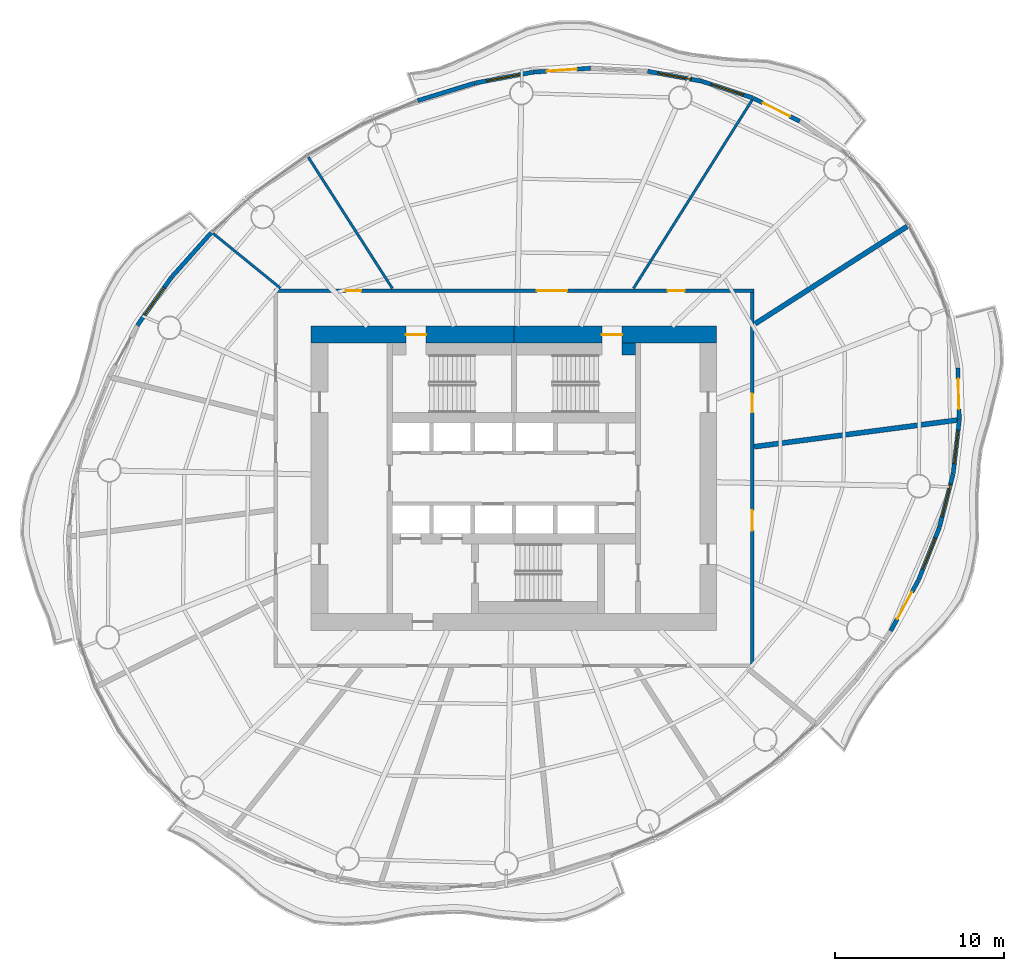
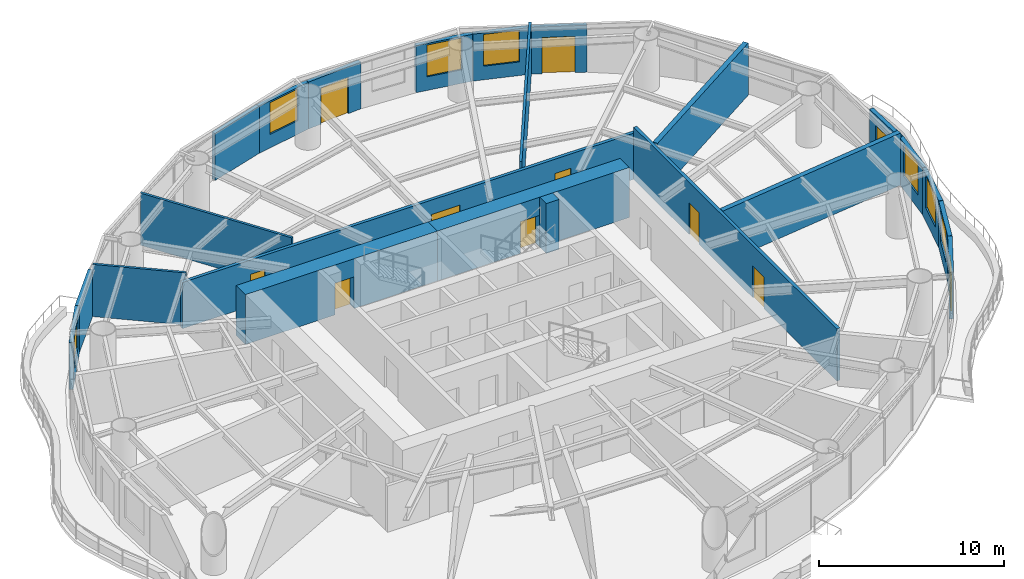
# One storey, part 10 of 14: 23 walls, 11 doors, 7 windows, 18 openings.
"""IFC4 building model written with IfcOpenShell, lengths in metres."""

from ifc_helpers import new_model, si_unit, direction, frame, frame_2d, origin, place, context, subcontext, project, spatial, rectangle, extrude, material, layer, layer_set, type_object, element, fill, save


model = new_model("IFC4")

# Units and contexts
model_context = context("Model", 3, precision=1e-05, world=origin(), true_north=direction((0.0, 1.0)))
body_context = subcontext(model_context, "Body", "Model", "MODEL_VIEW")
ifc_project = project(units=[si_unit("LENGTHUNIT", "METRE"), si_unit("AREAUNIT", "SQUARE_METRE"), si_unit("VOLUMEUNIT", "CUBIC_METRE"), si_unit("PLANEANGLEUNIT", "RADIAN"), si_unit("MASSUNIT", "GRAM", prefix="KILO")], contexts=[model_context])

# Site, building, storey
site_placement = place(None, origin())
site = spatial("IfcSite", under=ifc_project, at=site_placement, CompositionType="ELEMENT")
building_placement = place(site_placement, origin())
building = spatial("IfcBuilding", under=site, at=building_placement, Name="Vermilion Reach Broadcast Tower", CompositionType="ELEMENT")
storey_placement = place(building_placement, frame((0.0, 0.0, 165.0)))
storey = spatial("IfcBuildingStorey", under=building, at=storey_placement, Name="L39", CompositionType="ELEMENT", Elevation=165.0)

# Wall, opening, door
ifc_material_1 = material(Name="Concrete C70", Category="concrete")
ifc_layer_1 = layer(ifc_material_1, 1.0)
ifc_layer_set_1 = layer_set([ifc_layer_1], Name="Core outer wall 1000 mm Concrete C70")
wall_type_1 = type_object("IfcWallType", Name="Core outer wall 1000 mm Concrete C70", PredefinedType="SHEAR", material=ifc_layer_set_1)
wall_1_placement = place(storey_placement, frame((6.0, 8.5, 0.0), z_axis=(0.0, 0.0, 1.0), x_axis=(-1.0, 0.0, 0.0)))
wall_1 = element("IfcWall", 1, at=wall_1_placement, inside=storey, type_object=wall_type_1, Name="L39 core wall onE", PredefinedType="SHEAR", context=body_context, shape_type="SweptSolid", body=[
    extrude(rectangle(XDim=12.0, YDim=1.0, at=frame_2d((6.0, 0.0))), origin(), (0.0, 0.0, 1.0), 3.300048828125),
])
opening_1_placement = place(wall_1_placement, frame((5.60009765625, 0.0, 0.0)))
opening_1 = element("IfcOpeningElement", 2, at=opening_1_placement, cuts=wall_1, Name="Opening D01", PredefinedType="OPENING", context=body_context, shape_type="SweptSolid", body=[
    extrude(rectangle(XDim=1.199951171875, YDim=2.10009765625, at=frame_2d((0.60009765625, 1.050048828125))), frame((0.0, 0.510009765625, 0.0), z_axis=(0.0, -1.0, 0.0), x_axis=(1.0, 0.0, 0.0)), (0.0, 0.0, 1.0), 1.02001953125),
])
ifc_material_2 = material(Name="Painted steel fire door", Category="steel")
door_type_1 = type_object("IfcDoorType", Name="Stair door 1200 x 2100", OperationType="DOUBLE_DOOR_SINGLE_SWING", PredefinedType="NOTDEFINED", material=ifc_material_2)
door_1_placement = place(opening_1_placement, origin())
door_1 = element("IfcDoor", 3, at=door_1_placement, inside=storey, type_object=door_type_1, Name="L39 stair door ST2", OperationType="DOUBLE_DOOR_SINGLE_SWING", OverallHeight=2.10009765625, OverallWidth=1.199951171875, PredefinedType="NOTDEFINED", context=body_context, shape_type="SweptSolid", body=[
    extrude(rectangle(XDim=1.199951171875, YDim=2.10009765625, at=frame_2d((0.60009765625, 1.050048828125))), frame((0.0, 0.02490234375, 0.0), z_axis=(0.0, -1.0, 0.0), x_axis=(1.0, 0.0, 0.0)), (0.0, 0.0, 1.0), 0.050048828125),
])
fill(opening_1, door_1)

wall_2_placement = place(storey_placement, frame((-6.0, 8.5, 0.0), z_axis=(0.0, 0.0, 1.0), x_axis=(-1.0, 0.0, 0.0)))
wall_2 = element("IfcWall", 4, at=wall_2_placement, inside=storey, type_object=wall_type_1, Name="L39 core wall onW", PredefinedType="SHEAR", context=body_context, shape_type="SweptSolid", body=[
    extrude(rectangle(XDim=12.0, YDim=1.0, at=frame_2d((6.0, 0.0))), origin(), (0.0, 0.0, 1.0), 3.300048828125),
])
opening_2_placement = place(wall_2_placement, frame((5.199951171875, 0.0, 0.0)))
opening_2 = element("IfcOpeningElement", 5, at=opening_2_placement, cuts=wall_2, Name="Opening D01", PredefinedType="OPENING", context=body_context, shape_type="SweptSolid", body=[
    extrude(rectangle(XDim=1.199951171875, YDim=2.10009765625, at=frame_2d((0.60009765625, 1.050048828125))), frame((0.0, 0.510009765625, 0.0), z_axis=(0.0, -1.0, 0.0), x_axis=(1.0, 0.0, 0.0)), (0.0, 0.0, 1.0), 1.02001953125),
])
door_2_placement = place(opening_2_placement, origin())
door_2 = element("IfcDoor", 6, at=door_2_placement, inside=storey, type_object=door_type_1, Name="L39 stair door ST1", OperationType="DOUBLE_DOOR_SINGLE_SWING", OverallHeight=2.10009765625, OverallWidth=1.199951171875, PredefinedType="NOTDEFINED", context=body_context, shape_type="SweptSolid", body=[
    extrude(rectangle(XDim=1.199951171875, YDim=2.10009765625, at=frame_2d((0.60009765625, 1.050048828125))), frame((0.0, 0.02490234375, 0.0), z_axis=(0.0, -1.0, 0.0), x_axis=(1.0, 0.0, 0.0)), (0.0, 0.0, 1.0), 0.050048828125),
])
fill(opening_2, door_2)

# Wall
ifc_material_3 = material(Name="Concrete C70", Category="concrete")
ifc_layer_2 = layer(ifc_material_3, 0.699951171875)
ifc_layer_set_2 = layer_set([ifc_layer_2], Name="Core stair wall 700 mm Concrete C70")
wall_type_2 = type_object("IfcWallType", Name="Core stair wall 700 mm Concrete C70", PredefinedType="SHEAR", material=ifc_layer_set_2)
wall_3_placement = place(storey_placement, frame((0.39990234375, 7.64990234375, 0.0), z_axis=(0.0, 0.0, 1.0), x_axis=(1.0, 0.0, 0.0)))
element("IfcWall", 7, at=wall_3_placement, inside=storey, type_object=wall_type_2, Name="L39 core wall l2b", PredefinedType="SHEAR", context=body_context, shape_type="SweptSolid", body=[
    extrude(rectangle(XDim=0.800048828125, YDim=0.699951171875, at=frame_2d((0.39990234375, 0.0))), origin(), (0.0, 0.0, 1.0), 3.300048828125),
])

# Wall, openings, doors
ifc_material_4 = material(Name="Fire-rated gypsum board partition")
ifc_layer_3 = layer(ifc_material_4, 0.199951171875)
ifc_layer_set_3 = layer_set([ifc_layer_3], Name="Corridor wall 200 fire-rated")
wall_type_3 = type_object("IfcWallType", Name="Corridor wall 200 fire-rated", PredefinedType="PARTITIONING", material=ifc_layer_set_3)
wall_4_placement = place(storey_placement, frame((8.10009765625, 11.0, 0.0), z_axis=(0.0, 0.0, 1.0), x_axis=(0.0, -1.0, 0.0)))
wall_4 = element("IfcWall", 8, at=wall_4_placement, inside=storey, type_object=wall_type_3, Name="Corridor wall 39.E", PredefinedType="PARTITIONING", context=body_context, shape_type="SweptSolid", body=[
    extrude(rectangle(XDim=22.0, YDim=0.199951171875, at=frame_2d((11.0, 0.0))), origin(), (0.0, 0.0, 1.0), 3.449951171875),
])
opening_3_placement = place(wall_4_placement, frame((12.895263671875, 0.0, 0.0)))
opening_3 = element("IfcOpeningElement", 9, at=opening_3_placement, cuts=wall_4, Name="Opening D26", PredefinedType="OPENING", context=body_context, shape_type="SweptSolid", body=[
    extrude(rectangle(XDim=1.199951171875, YDim=2.10009765625, at=frame_2d((0.60009765625, 1.050048828125))), frame((0.0, 0.10986328125, 0.0), z_axis=(0.0, -1.0, 0.0), x_axis=(1.0, 0.0, 0.0)), (0.0, 0.0, 1.0), 0.219970703125),
])
opening_4_placement = place(wall_4_placement, frame((5.99658203125, 0.0, 0.0)))
opening_4 = element("IfcOpeningElement", 10, at=opening_4_placement, cuts=wall_4, Name="Opening D28", PredefinedType="OPENING", context=body_context, shape_type="SweptSolid", body=[
    extrude(rectangle(XDim=1.10009765625, YDim=2.10009765625, at=frame_2d((0.550048828125, 1.050048828125))), frame((0.0, 0.10986328125, 0.0), z_axis=(0.0, -1.0, 0.0), x_axis=(1.0, 0.0, 0.0)), (0.0, 0.0, 1.0), 0.219970703125),
])
ifc_material_5 = material(Name="Acoustic sound-lock door leaf")
door_type_2 = type_object("IfcDoorType", Name="Door single 1100x2100", OperationType="NOTDEFINED", PredefinedType="DOOR", material=ifc_material_5)
door_3_placement = place(opening_4_placement, origin())
door_3 = element("IfcDoor", 11, at=door_3_placement, inside=storey, type_object=door_type_2, Name="Door 39.13", OperationType="SINGLE_SWING_RIGHT", OverallHeight=2.10009765625, OverallWidth=1.10009765625, PredefinedType="DOOR", context=body_context, shape_type="SweptSolid", body=[
    extrude(rectangle(XDim=1.10009765625, YDim=2.10009765625, at=frame_2d((0.550048828125, 1.050048828125))), frame((0.0, 0.02490234375, 0.0), z_axis=(0.0, -1.0, 0.0), x_axis=(1.0, 0.0, 0.0)), (0.0, 0.0, 1.0), 0.050048828125),
])
fill(opening_4, door_3)
ifc_material_6 = material(Name="Acoustic timber door leaf", Category="wood")
door_type_3 = type_object("IfcDoorType", Name="Door single 1200x2100", OperationType="NOTDEFINED", PredefinedType="DOOR", material=ifc_material_6)
door_4_placement = place(opening_3_placement, origin())
door_4 = element("IfcDoor", 12, at=door_4_placement, inside=storey, type_object=door_type_3, Name="Door 39.12", OperationType="SINGLE_SWING_LEFT", OverallHeight=2.10009765625, OverallWidth=1.199951171875, PredefinedType="DOOR", context=body_context, shape_type="SweptSolid", body=[
    extrude(rectangle(XDim=1.199951171875, YDim=2.10009765625, at=frame_2d((0.60009765625, 1.050048828125))), frame((0.0, 0.02490234375, 0.0), z_axis=(0.0, -1.0, 0.0), x_axis=(1.0, 0.0, 0.0)), (0.0, 0.0, 1.0), 0.050048828125),
])
fill(opening_3, door_4)

# Walls
ifc_material_7 = material(Name="Lightweight concrete block, plastered", Category="concrete")
ifc_layer_4 = layer(ifc_material_7, 0.14990234375)
ifc_layer_set_4 = layer_set([ifc_layer_4], Name="Partition 150 lightweight block")
wall_type_4 = type_object("IfcWallType", Name="Partition 150 lightweight block", PredefinedType="PARTITIONING", material=ifc_layer_set_4)
wall_5_placement = place(storey_placement, frame((8.101318359375, 22.393798828125, 0.0), z_axis=(0.0, 0.0, 1.0), x_axis=(-0.532862885492, -0.846201598477, 0.0)))
element("IfcWall", 13, at=wall_5_placement, inside=storey, type_object=wall_type_4, Name="Partition 39.02", PredefinedType="PARTITIONING", context=body_context, shape_type="SweptSolid", body=[
    extrude(rectangle(XDim=13.180908203125, YDim=0.14990234375, at=frame_2d((6.59033203125, 0.0))), origin(), (0.0, 0.0, 1.0), 3.449951171875),
])
wall_6_placement = place(storey_placement, frame((-18.17236328125, 19.00390625, 0.0), z_axis=(0.0, 0.0, 1.0), x_axis=(0.539366262067, -0.842071276879, 0.0)))
element("IfcWall", 14, at=wall_6_placement, inside=storey, type_object=wall_type_4, Name="Partition 39.03", PredefinedType="PARTITIONING", context=body_context, shape_type="SweptSolid", body=[
    extrude(rectangle(XDim=9.219482421875, YDim=0.14990234375, at=frame_2d((4.60986328125, 0.0))), origin(), (0.0, 0.0, 1.0), 3.449951171875),
])
wall_7_placement = place(storey_placement, frame((-23.793701171875, 14.48486328125, 0.0), z_axis=(0.0, 0.0, 1.0), x_axis=(0.775504350121, -0.631342223317, 0.0)))
element("IfcWall", 15, at=wall_7_placement, inside=storey, type_object=wall_type_4, Name="Partition 39.04", PredefinedType="PARTITIONING", context=body_context, shape_type="SweptSolid", body=[
    extrude(rectangle(XDim=5.111083984375, YDim=0.14990234375, at=frame_2d((2.5556640625, 0.0))), origin(), (0.0, 0.0, 1.0), 3.449951171875),
])
ifc_material_8 = material(Name="Double-leaf plasterboard on isolated steel stud", Category="steel")
ifc_layer_5 = layer(ifc_material_8, 0.300048828125)
ifc_layer_set_5 = layer_set([ifc_layer_5], Name="Partition 300 acoustic double leaf")
wall_type_5 = type_object("IfcWallType", Name="Partition 300 acoustic double leaf", PredefinedType="PARTITIONING", material=ifc_layer_set_5)
wall_8_placement = place(storey_placement, frame((17.270263671875, 14.90478515625, 0.0), z_axis=(0.0, 0.0, 1.0), x_axis=(-0.842071977219, -0.539365168678, 0.0)))
element("IfcWall", 16, at=wall_8_placement, inside=storey, type_object=wall_type_5, Name="Partition 39.01", PredefinedType="PARTITIONING", context=body_context, shape_type="SweptSolid", body=[
    extrude(rectangle(XDim=10.675048828125, YDim=0.300048828125, at=frame_2d((5.33740234375, 0.0))), origin(), (0.0, 0.0, 1.0), 3.449951171875),
])
wall_9_placement = place(storey_placement, frame((20.23876953125, 3.4443359375, 0.0), z_axis=(0.0, 0.0, 1.0), x_axis=(-0.991492708273, -0.130162242765, 0.0)))
element("IfcWall", 17, at=wall_9_placement, inside=storey, type_object=wall_type_5, Name="Partition 39.13", PredefinedType="PARTITIONING", context=body_context, shape_type="SweptSolid", body=[
    extrude(rectangle(XDim=12.122314453125, YDim=0.300048828125, at=frame_2d((6.06103515625, 0.0))), origin(), (0.0, 0.0, 1.0), 3.449951171875),
])

# Wall, opening, door
ifc_material_9 = material(Name="Terracotta rainscreen cladding", Category="masonry")
ifc_layer_6 = layer(ifc_material_9, 0.25)
ifc_layer_set_6 = layer_set([ifc_layer_6], Name="Terracotta rainscreen wall 250")
wall_type_6 = type_object("IfcWallType", Name="Terracotta rainscreen wall 250", PredefinedType="SOLIDWALL", material=ifc_layer_set_6)
wall_10_placement = place(storey_placement, frame((10.919189453125, 21.13916015625, 0.0), z_axis=(0.0, 0.0, 1.0), x_axis=(-0.896353964816, 0.443339113725, 0.0)))
wall_10 = element("IfcWall", 18, at=wall_10_placement, inside=storey, type_object=wall_type_6, Name="External wall L39 03", PredefinedType="SOLIDWALL", context=body_context, shape_type="SweptSolid", body=[
    extrude(rectangle(XDim=3.078369140625, YDim=0.25, at=frame_2d((1.5390625, 0.0))), origin(), (0.0, 0.0, 1.0), 3.10009765625),
])
opening_5_placement = place(wall_10_placement, frame((0.638916015625, 0.0, 0.0)))
opening_5 = element("IfcOpeningElement", 19, at=opening_5_placement, cuts=wall_10, Name="Opening D70", PredefinedType="OPENING", context=body_context, shape_type="SweptSolid", body=[
    extrude(rectangle(XDim=1.800048828125, YDim=2.39990234375, at=frame_2d((0.89990234375, 1.199951171875))), frame((0.0, 0.135009765625, 0.0), z_axis=(0.0, -1.0, 0.0), x_axis=(1.0, 0.0, 0.0)), (0.0, 0.0, 1.0), 0.27001953125),
])
ifc_material_10 = material(Name="Low-e laminated clear glass in aluminium frame", Category="aluminium")
door_type_4 = type_object("IfcDoorType", Name="Balcony sliding door 1800 x 2400", OperationType="DOUBLE_DOOR_SLIDING", PredefinedType="DOOR", material=ifc_material_10)
door_5_placement = place(opening_5_placement, origin())
door_5 = element("IfcDoor", 20, at=door_5_placement, inside=storey, type_object=door_type_4, Name="Balcony door L39 run 01", OperationType="DOUBLE_DOOR_SLIDING", OverallHeight=2.39990234375, OverallWidth=1.800048828125, PredefinedType="DOOR", context=body_context, shape_type="SweptSolid", body=[
    extrude(rectangle(XDim=1.800048828125, YDim=2.39990234375, at=frame_2d((0.89990234375, 1.199951171875))), frame((0.0, 0.02490234375, 0.0), z_axis=(0.0, -1.0, 0.0), x_axis=(1.0, 0.0, 0.0)), (0.0, 0.0, 1.0), 0.050048828125),
])
fill(opening_5, door_5)

# Wall, opening, window
wall_11_placement = place(storey_placement, frame((8.13623046875, 22.513671875, 0.0), z_axis=(0.0, 0.0, 1.0), x_axis=(-0.950163900918, 0.311750800147, 0.0)))
wall_11 = element("IfcWall", 21, at=wall_11_placement, inside=storey, type_object=wall_type_6, Name="External wall L39 04", PredefinedType="SOLIDWALL", context=body_context, shape_type="SweptSolid", body=[
    extrude(rectangle(XDim=3.159912109375, YDim=0.25, at=frame_2d((1.580078125, 0.0))), origin(), (0.0, 0.0, 1.0), 3.10009765625),
])
opening_6_placement = place(wall_11_placement, frame((0.579833984375, 0.0, 0.89990234375)))
opening_6 = element("IfcOpeningElement", 22, at=opening_6_placement, cuts=wall_11, Name="Opening W03", PredefinedType="OPENING", context=body_context, shape_type="SweptSolid", body=[
    extrude(rectangle(XDim=2.0, YDim=2.10009765625, at=frame_2d((1.0, 1.050048828125))), frame((0.0, 0.135009765625, 0.0), z_axis=(0.0, -1.0, 0.0), x_axis=(1.0, 0.0, 0.0)), (0.0, 0.0, 1.0), 0.27001953125),
])
ifc_material_11 = material(Name="Low-e laminated clear glass in aluminium frame", Category="aluminium")
window_type = type_object("IfcWindowType", Name="Punched window 2000 x 2100 sill 900", PartitioningType="SINGLE_PANEL", PredefinedType="WINDOW", material=ifc_material_11)
window_1_placement = place(opening_6_placement, origin())
window_1 = element("IfcWindow", 23, at=window_1_placement, inside=storey, type_object=window_type, Name="Window L39 04", OverallHeight=2.10009765625, OverallWidth=2.0, PartitioningType="SINGLE_PANEL", PredefinedType="WINDOW", context=body_context, shape_type="SweptSolid", body=[
    extrude(rectangle(XDim=2.0, YDim=2.10009765625, at=frame_2d((1.0, 1.050048828125))), frame((0.0, 0.030029296875, 0.0), z_axis=(0.0, -1.0, 0.0), x_axis=(1.0, 0.0, 0.0)), (0.0, 0.0, 1.0), 0.06005859375),
])
fill(opening_6, window_1)

wall_12_placement = place(storey_placement, frame((5.10986328125, 23.5048828125, 0.0), z_axis=(0.0, 0.0, 1.0), x_axis=(-0.983511988616, 0.180842938067, 0.0)))
wall_12 = element("IfcWall", 24, at=wall_12_placement, inside=storey, type_object=wall_type_6, Name="External wall L39 05", PredefinedType="SOLIDWALL", context=body_context, shape_type="SweptSolid", body=[
    extrude(rectangle(XDim=3.248046875, YDim=0.25, at=frame_2d((1.6240234375, 0.0))), origin(), (0.0, 0.0, 1.0), 3.10009765625),
])
opening_7_placement = place(wall_12_placement, frame((0.6240234375, 0.0, 0.89990234375)))
opening_7 = element("IfcOpeningElement", 25, at=opening_7_placement, cuts=wall_12, Name="Opening W03", PredefinedType="OPENING", context=body_context, shape_type="SweptSolid", body=[
    extrude(rectangle(XDim=2.0, YDim=2.10009765625, at=frame_2d((1.0, 1.050048828125))), frame((0.0, 0.135009765625, 0.0), z_axis=(0.0, -1.0, 0.0), x_axis=(1.0, 0.0, 0.0)), (0.0, 0.0, 1.0), 0.27001953125),
])
window_2_placement = place(opening_7_placement, origin())
window_2 = element("IfcWindow", 26, at=window_2_placement, inside=storey, type_object=window_type, Name="Window L39 05", OverallHeight=2.10009765625, OverallWidth=2.0, PartitioningType="SINGLE_PANEL", PredefinedType="WINDOW", context=body_context, shape_type="SweptSolid", body=[
    extrude(rectangle(XDim=2.0, YDim=2.10009765625, at=frame_2d((1.0, 1.050048828125))), frame((0.0, 0.030029296875, 0.0), z_axis=(0.0, -1.0, 0.0), x_axis=(1.0, 0.0, 0.0)), (0.0, 0.0, 1.0), 0.06005859375),
])
fill(opening_7, window_2)

# Wall, opening, door
wall_13_placement = place(storey_placement, frame((-1.464111328125, 24.27294921875, 0.0), z_axis=(0.0, 0.0, 1.0), x_axis=(-0.997639779644, -0.068664911499, 0.0)))
wall_13 = element("IfcWall", 27, at=wall_13_placement, inside=storey, type_object=wall_type_6, Name="External wall L39 07", PredefinedType="SOLIDWALL", context=body_context, shape_type="SweptSolid", body=[
    extrude(rectangle(XDim=3.42041015625, YDim=0.25, at=frame_2d((1.710205078125, 0.0))), origin(), (0.0, 0.0, 1.0), 3.10009765625),
])
opening_8_placement = place(wall_13_placement, frame((0.81005859375, 0.0, 0.0)))
opening_8 = element("IfcOpeningElement", 28, at=opening_8_placement, cuts=wall_13, Name="Opening D70", PredefinedType="OPENING", context=body_context, shape_type="SweptSolid", body=[
    extrude(rectangle(XDim=1.800048828125, YDim=2.39990234375, at=frame_2d((0.89990234375, 1.199951171875))), frame((0.0, 0.135009765625, 0.0), z_axis=(0.0, -1.0, 0.0), x_axis=(1.0, 0.0, 0.0)), (0.0, 0.0, 1.0), 0.27001953125),
])
door_6_placement = place(opening_8_placement, origin())
door_6 = element("IfcDoor", 29, at=door_6_placement, inside=storey, type_object=door_type_4, Name="Balcony door L39 run 02", OperationType="DOUBLE_DOOR_SLIDING", OverallHeight=2.39990234375, OverallWidth=1.800048828125, PredefinedType="DOOR", context=body_context, shape_type="SweptSolid", body=[
    extrude(rectangle(XDim=1.800048828125, YDim=2.39990234375, at=frame_2d((0.89990234375, 1.199951171875))), frame((0.0, 0.02490234375, 0.0), z_axis=(0.0, -1.0, 0.0), x_axis=(1.0, 0.0, 0.0)), (0.0, 0.0, 1.0), 0.050048828125),
])
fill(opening_8, door_6)

# Wall, opening, window
wall_14_placement = place(storey_placement, frame((-4.89892578125, 24.035400390625, 0.0), z_axis=(0.0, 0.0, 1.0), x_axis=(-0.982808840364, -0.184626063442, 0.0)))
wall_14 = element("IfcWall", 30, at=wall_14_placement, inside=storey, type_object=wall_type_6, Name="External wall L39 08", PredefinedType="SOLIDWALL", context=body_context, shape_type="SweptSolid", body=[
    extrude(rectangle(XDim=3.49365234375, YDim=0.25, at=frame_2d((1.746826171875, 0.0))), origin(), (0.0, 0.0, 1.0), 3.10009765625),
])
opening_9_placement = place(wall_14_placement, frame((0.746826171875, 0.0, 0.89990234375)))
opening_9 = element("IfcOpeningElement", 31, at=opening_9_placement, cuts=wall_14, Name="Opening W03", PredefinedType="OPENING", context=body_context, shape_type="SweptSolid", body=[
    extrude(rectangle(XDim=2.0, YDim=2.10009765625, at=frame_2d((1.0, 1.050048828125))), frame((0.0, 0.135009765625, 0.0), z_axis=(0.0, -1.0, 0.0), x_axis=(1.0, 0.0, 0.0)), (0.0, 0.0, 1.0), 0.27001953125),
])
window_3_placement = place(opening_9_placement, origin())
window_3 = element("IfcWindow", 32, at=window_3_placement, inside=storey, type_object=window_type, Name="Window L39 08", OverallHeight=2.10009765625, OverallWidth=2.0, PartitioningType="SINGLE_PANEL", PredefinedType="WINDOW", context=body_context, shape_type="SweptSolid", body=[
    extrude(rectangle(XDim=2.0, YDim=2.10009765625, at=frame_2d((1.0, 1.050048828125))), frame((0.0, 0.030029296875, 0.0), z_axis=(0.0, -1.0, 0.0), x_axis=(1.0, 0.0, 0.0)), (0.0, 0.0, 1.0), 0.06005859375),
])
fill(opening_9, window_3)

# Walls
wall_15_placement = place(storey_placement, frame((-8.35400390625, 23.38525390625, 0.0), z_axis=(0.0, 0.0, 1.0), x_axis=(-0.955795559149, -0.294032054565, 0.0)))
element("IfcWall", 33, at=wall_15_placement, inside=storey, type_object=wall_type_6, Name="External wall L39 09", PredefinedType="SOLIDWALL", context=body_context, shape_type="SweptSolid", body=[
    extrude(rectangle(XDim=3.508056640625, YDim=0.25, at=frame_2d((1.75390625, 0.0))), origin(), (0.0, 0.0, 1.0), 3.10009765625),
])
wall_16_placement = place(storey_placement, frame((-23.918701171875, 14.5322265625, 0.0), z_axis=(0.0, 0.0, 1.0), x_axis=(-0.666731798782, -0.745297731443, 0.0)))
element("IfcWall", 34, at=wall_16_placement, inside=storey, type_object=wall_type_6, Name="External wall L39 14", PredefinedType="SOLIDWALL", context=body_context, shape_type="SweptSolid", body=[
    extrude(rectangle(XDim=3.50830078125, YDim=0.25, at=frame_2d((1.754150390625, 0.0))), origin(), (0.0, 0.0, 1.0), 3.10009765625),
])

# Wall, opening, window
wall_17_placement = place(storey_placement, frame((-26.271484375, 11.900390625, 0.0), z_axis=(0.0, 0.0, 1.0), x_axis=(-0.578670547214, -0.815561400378, 0.0)))
wall_17 = element("IfcWall", 35, at=wall_17_placement, inside=storey, type_object=wall_type_6, Name="External wall L39 15", PredefinedType="SOLIDWALL", context=body_context, shape_type="SweptSolid", body=[
    extrude(rectangle(XDim=3.49365234375, YDim=0.25, at=frame_2d((1.746826171875, 0.0))), origin(), (0.0, 0.0, 1.0), 3.10009765625),
])
opening_10_placement = place(wall_17_placement, frame((0.746826171875, 0.0, 0.89990234375)))
opening_10 = element("IfcOpeningElement", 36, at=opening_10_placement, cuts=wall_17, Name="Opening W03", PredefinedType="OPENING", context=body_context, shape_type="SweptSolid", body=[
    extrude(rectangle(XDim=2.0, YDim=2.10009765625, at=frame_2d((1.0, 1.050048828125))), frame((0.0, 0.135009765625, 0.0), z_axis=(0.0, -1.0, 0.0), x_axis=(1.0, 0.0, 0.0)), (0.0, 0.0, 1.0), 0.27001953125),
])
window_4_placement = place(opening_10_placement, origin())
window_4 = element("IfcWindow", 37, at=window_4_placement, inside=storey, type_object=window_type, Name="Window L39 15", OverallHeight=2.10009765625, OverallWidth=2.0, PartitioningType="SINGLE_PANEL", PredefinedType="WINDOW", context=body_context, shape_type="SweptSolid", body=[
    extrude(rectangle(XDim=2.0, YDim=2.10009765625, at=frame_2d((1.0, 1.050048828125))), frame((0.0, 0.030029296875, 0.0), z_axis=(0.0, -1.0, 0.0), x_axis=(1.0, 0.0, 0.0)), (0.0, 0.0, 1.0), 0.06005859375),
])
fill(opening_10, window_4)

# Wall, opening, door
wall_18_placement = place(storey_placement, frame((16.30517578125, -9.03173828125, 0.0), z_axis=(0.0, 0.0, 1.0), x_axis=(0.479577095585, 0.87749974894, 0.0)))
wall_18 = element("IfcWall", 38, at=wall_18_placement, inside=storey, type_object=wall_type_6, Name="External wall L39 40", PredefinedType="SOLIDWALL", context=body_context, shape_type="SweptSolid", body=[
    extrude(rectangle(XDim=3.42041015625, YDim=0.25, at=frame_2d((1.710205078125, 0.0))), origin(), (0.0, 0.0, 1.0), 3.10009765625),
])
opening_11_placement = place(wall_18_placement, frame((0.81005859375, 0.0, 0.0)))
opening_11 = element("IfcOpeningElement", 39, at=opening_11_placement, cuts=wall_18, Name="Opening D70", PredefinedType="OPENING", context=body_context, shape_type="SweptSolid", body=[
    extrude(rectangle(XDim=1.800048828125, YDim=2.39990234375, at=frame_2d((0.89990234375, 1.199951171875))), frame((0.0, 0.135009765625, 0.0), z_axis=(0.0, -1.0, 0.0), x_axis=(1.0, 0.0, 0.0)), (0.0, 0.0, 1.0), 0.27001953125),
])
door_7_placement = place(opening_11_placement, origin())
door_7 = element("IfcDoor", 40, at=door_7_placement, inside=storey, type_object=door_type_4, Name="Balcony door L39 run 10", OperationType="DOUBLE_DOOR_SLIDING", OverallHeight=2.39990234375, OverallWidth=1.800048828125, PredefinedType="DOOR", context=body_context, shape_type="SweptSolid", body=[
    extrude(rectangle(XDim=1.800048828125, YDim=2.39990234375, at=frame_2d((0.89990234375, 1.199951171875))), frame((0.0, 0.02490234375, 0.0), z_axis=(0.0, -1.0, 0.0), x_axis=(1.0, 0.0, 0.0)), (0.0, 0.0, 1.0), 0.050048828125),
])
fill(opening_11, door_7)

# Wall, opening, window
wall_19_placement = place(storey_placement, frame((17.95556640625, -6.00927734375, 0.0), z_axis=(0.0, 0.0, 1.0), x_axis=(0.369043171551, 0.92941225381, 0.0)))
wall_19 = element("IfcWall", 41, at=wall_19_placement, inside=storey, type_object=wall_type_6, Name="External wall L39 41", PredefinedType="SOLIDWALL", context=body_context, shape_type="SweptSolid", body=[
    extrude(rectangle(XDim=3.3369140625, YDim=0.25, at=frame_2d((1.66845703125, 0.0))), origin(), (0.0, 0.0, 1.0), 3.10009765625),
])
opening_12_placement = place(wall_19_placement, frame((0.66845703125, 0.0, 0.89990234375)))
opening_12 = element("IfcOpeningElement", 42, at=opening_12_placement, cuts=wall_19, Name="Opening W03", PredefinedType="OPENING", context=body_context, shape_type="SweptSolid", body=[
    extrude(rectangle(XDim=2.0, YDim=2.10009765625, at=frame_2d((1.0, 1.050048828125))), frame((0.0, 0.135009765625, 0.0), z_axis=(0.0, -1.0, 0.0), x_axis=(1.0, 0.0, 0.0)), (0.0, 0.0, 1.0), 0.27001953125),
])
window_5_placement = place(opening_12_placement, origin())
window_5 = element("IfcWindow", 43, at=window_5_placement, inside=storey, type_object=window_type, Name="Window L39 41", OverallHeight=2.10009765625, OverallWidth=2.0, PartitioningType="SINGLE_PANEL", PredefinedType="WINDOW", context=body_context, shape_type="SweptSolid", body=[
    extrude(rectangle(XDim=2.0, YDim=2.10009765625, at=frame_2d((1.0, 1.050048828125))), frame((0.0, 0.030029296875, 0.0), z_axis=(0.0, -1.0, 0.0), x_axis=(1.0, 0.0, 0.0)), (0.0, 0.0, 1.0), 0.06005859375),
])
fill(opening_12, window_5)

wall_20_placement = place(storey_placement, frame((19.194580078125, -2.885009765625, 0.0), z_axis=(0.0, 0.0, 1.0), x_axis=(0.246989866145, 0.969018062794, 0.0)))
wall_20 = element("IfcWall", 44, at=wall_20_placement, inside=storey, type_object=wall_type_6, Name="External wall L39 42", PredefinedType="SOLIDWALL", context=body_context, shape_type="SweptSolid", body=[
    extrude(rectangle(XDim=3.248046875, YDim=0.25, at=frame_2d((1.6240234375, 0.0))), origin(), (0.0, 0.0, 1.0), 3.10009765625),
])
opening_13_placement = place(wall_20_placement, frame((0.6240234375, 0.0, 0.89990234375)))
opening_13 = element("IfcOpeningElement", 45, at=opening_13_placement, cuts=wall_20, Name="Opening W03", PredefinedType="OPENING", context=body_context, shape_type="SweptSolid", body=[
    extrude(rectangle(XDim=2.0, YDim=2.10009765625, at=frame_2d((1.0, 1.050048828125))), frame((0.0, 0.135009765625, 0.0), z_axis=(0.0, -1.0, 0.0), x_axis=(1.0, 0.0, 0.0)), (0.0, 0.0, 1.0), 0.27001953125),
])
window_6_placement = place(opening_13_placement, origin())
window_6 = element("IfcWindow", 46, at=window_6_placement, inside=storey, type_object=window_type, Name="Window L39 42", OverallHeight=2.10009765625, OverallWidth=2.0, PartitioningType="SINGLE_PANEL", PredefinedType="WINDOW", context=body_context, shape_type="SweptSolid", body=[
    extrude(rectangle(XDim=2.0, YDim=2.10009765625, at=frame_2d((1.0, 1.050048828125))), frame((0.0, 0.030029296875, 0.0), z_axis=(0.0, -1.0, 0.0), x_axis=(1.0, 0.0, 0.0)), (0.0, 0.0, 1.0), 0.06005859375),
])
fill(opening_13, window_6)

wall_21_placement = place(storey_placement, frame((20.00146484375, 0.286865234375, 0.0), z_axis=(0.0, 0.0, 1.0), x_axis=(0.114119674423, 0.993467009975, 0.0)))
wall_21 = element("IfcWall", 47, at=wall_21_placement, inside=storey, type_object=wall_type_6, Name="External wall L39 43", PredefinedType="SOLIDWALL", context=body_context, shape_type="SweptSolid", body=[
    extrude(rectangle(XDim=3.159912109375, YDim=0.25, at=frame_2d((1.580078125, 0.0))), origin(), (0.0, 0.0, 1.0), 3.10009765625),
])
opening_14_placement = place(wall_21_placement, frame((0.579833984375, 0.0, 0.89990234375)))
opening_14 = element("IfcOpeningElement", 48, at=opening_14_placement, cuts=wall_21, Name="Opening W03", PredefinedType="OPENING", context=body_context, shape_type="SweptSolid", body=[
    extrude(rectangle(XDim=2.0, YDim=2.10009765625, at=frame_2d((1.0, 1.050048828125))), frame((0.0, 0.135009765625, 0.0), z_axis=(0.0, -1.0, 0.0), x_axis=(1.0, 0.0, 0.0)), (0.0, 0.0, 1.0), 0.27001953125),
])
window_7_placement = place(opening_14_placement, origin())
window_7 = element("IfcWindow", 49, at=window_7_placement, inside=storey, type_object=window_type, Name="Window L39 43", OverallHeight=2.10009765625, OverallWidth=2.0, PartitioningType="SINGLE_PANEL", PredefinedType="WINDOW", context=body_context, shape_type="SweptSolid", body=[
    extrude(rectangle(XDim=2.0, YDim=2.10009765625, at=frame_2d((1.0, 1.050048828125))), frame((0.0, 0.030029296875, 0.0), z_axis=(0.0, -1.0, 0.0), x_axis=(1.0, 0.0, 0.0)), (0.0, 0.0, 1.0), 0.06005859375),
])
fill(opening_14, window_7)

# Wall, opening, door
wall_22_placement = place(storey_placement, frame((20.36328125, 3.45166015625, 0.0), z_axis=(0.0, 0.0, 1.0), x_axis=(-0.027916757258, 0.99961025138, 0.0)))
wall_22 = element("IfcWall", 50, at=wall_22_placement, inside=storey, type_object=wall_type_6, Name="External wall L39 44", PredefinedType="SOLIDWALL", context=body_context, shape_type="SweptSolid", body=[
    extrude(rectangle(XDim=3.078369140625, YDim=0.25, at=frame_2d((1.5390625, 0.0))), origin(), (0.0, 0.0, 1.0), 3.10009765625),
])
opening_15_placement = place(wall_22_placement, frame((0.638916015625, 0.0, 0.0)))
opening_15 = element("IfcOpeningElement", 51, at=opening_15_placement, cuts=wall_22, Name="Opening D70", PredefinedType="OPENING", context=body_context, shape_type="SweptSolid", body=[
    extrude(rectangle(XDim=1.800048828125, YDim=2.39990234375, at=frame_2d((0.89990234375, 1.199951171875))), frame((0.0, 0.135009765625, 0.0), z_axis=(0.0, -1.0, 0.0), x_axis=(1.0, 0.0, 0.0)), (0.0, 0.0, 1.0), 0.27001953125),
])
door_8_placement = place(opening_15_placement, origin())
door_8 = element("IfcDoor", 52, at=door_8_placement, inside=storey, type_object=door_type_4, Name="Balcony door L39 run 11", OperationType="DOUBLE_DOOR_SLIDING", OverallHeight=2.39990234375, OverallWidth=1.800048828125, PredefinedType="DOOR", context=body_context, shape_type="SweptSolid", body=[
    extrude(rectangle(XDim=1.800048828125, YDim=2.39990234375, at=frame_2d((0.89990234375, 1.199951171875))), frame((0.0, 0.02490234375, 0.0), z_axis=(0.0, -1.0, 0.0), x_axis=(1.0, 0.0, 0.0)), (0.0, 0.0, 1.0), 0.050048828125),
])
fill(opening_15, door_8)

# Wall, openings, doors
ifc_material_12 = material(Name="Fire-rated gypsum board partition")
ifc_layer_7 = layer(ifc_material_12, 0.199951171875)
ifc_layer_set_7 = layer_set([ifc_layer_7], Name="Under girder: Corridor wall 200 fire-rated")
wall_type_7 = type_object("IfcWallType", Name="Under girder: Corridor wall 200 fire-rated", PredefinedType="PARTITIONING", material=ifc_layer_set_7)
wall_23_placement = place(storey_placement, frame((-20.199951171875, 11.10009765625, 0.0), z_axis=(0.0, 0.0, 1.0), x_axis=(1.0, 0.0, 0.0)))
wall_23 = element("IfcWall", 53, at=wall_23_placement, inside=storey, type_object=wall_type_7, Name="Corridor wall 39.N", PredefinedType="PARTITIONING", context=body_context, shape_type="SweptSolid", body=[
    extrude(rectangle(XDim=28.39990234375, YDim=0.199951171875, at=frame_2d((14.199951171875, 0.0))), origin(), (0.0, 0.0, 1.0), 3.050048828125),
])
opening_16_placement = place(wall_23_placement, frame((23.296875, 0.0, 0.0)))
opening_16 = element("IfcOpeningElement", 54, at=opening_16_placement, cuts=wall_23, Name="Opening D20", PredefinedType="OPENING", context=body_context, shape_type="SweptSolid", body=[
    extrude(rectangle(XDim=1.0, YDim=2.10009765625, at=frame_2d((0.5, 1.050048828125))), frame((0.0, 0.10986328125, 0.0), z_axis=(0.0, -1.0, 0.0), x_axis=(1.0, 0.0, 0.0)), (0.0, 0.0, 1.0), 0.219970703125),
])
opening_17_placement = place(wall_23_placement, frame((15.5546875, 0.0, 0.0)))
opening_17 = element("IfcOpeningElement", 55, at=opening_17_placement, cuts=wall_23, Name="Opening D21", PredefinedType="OPENING", context=body_context, shape_type="SweptSolid", body=[
    extrude(rectangle(XDim=1.800048828125, YDim=2.10009765625, at=frame_2d((0.89990234375, 1.050048828125))), frame((0.0, 0.10986328125, 0.0), z_axis=(0.0, -1.0, 0.0), x_axis=(1.0, 0.0, 0.0)), (0.0, 0.0, 1.0), 0.219970703125),
])
opening_18_placement = place(wall_23_placement, frame((4.250732421875, 0.0, 0.0)))
opening_18 = element("IfcOpeningElement", 56, at=opening_18_placement, cuts=wall_23, Name="Opening D22", PredefinedType="OPENING", context=body_context, shape_type="SweptSolid", body=[
    extrude(rectangle(XDim=0.89990234375, YDim=2.10009765625, at=frame_2d((0.449951171875, 1.050048828125))), frame((0.0, 0.10986328125, 0.0), z_axis=(0.0, -1.0, 0.0), x_axis=(1.0, 0.0, 0.0)), (0.0, 0.0, 1.0), 0.219970703125),
])
ifc_material_13 = material(Name="Timber door leaf", Category="wood")
door_type_5 = type_object("IfcDoorType", Name="Door pair 1800x2100", OperationType="NOTDEFINED", PredefinedType="DOOR", material=ifc_material_13)
door_9_placement = place(opening_17_placement, origin())
door_9 = element("IfcDoor", 57, at=door_9_placement, inside=storey, type_object=door_type_5, Name="Door 39.02", OperationType="DOUBLE_DOOR_SINGLE_SWING", OverallHeight=2.10009765625, OverallWidth=1.800048828125, PredefinedType="DOOR", context=body_context, shape_type="SweptSolid", body=[
    extrude(rectangle(XDim=1.800048828125, YDim=2.10009765625, at=frame_2d((0.89990234375, 1.050048828125))), frame((0.0, 0.02490234375, 0.0), z_axis=(0.0, -1.0, 0.0), x_axis=(1.0, 0.0, 0.0)), (0.0, 0.0, 1.0), 0.050048828125),
])
fill(opening_17, door_9)
ifc_material_14 = material(Name="Timber door leaf", Category="wood")
door_type_6 = type_object("IfcDoorType", Name="Door single 1000x2100", OperationType="NOTDEFINED", PredefinedType="DOOR", material=ifc_material_14)
door_10_placement = place(opening_16_placement, origin())
door_10 = element("IfcDoor", 58, at=door_10_placement, inside=storey, type_object=door_type_6, Name="Door 39.01", OperationType="SINGLE_SWING_LEFT", OverallHeight=2.10009765625, OverallWidth=1.0, PredefinedType="DOOR", context=body_context, shape_type="SweptSolid", body=[
    extrude(rectangle(XDim=1.0, YDim=2.10009765625, at=frame_2d((0.5, 1.050048828125))), frame((0.0, 0.02490234375, 0.0), z_axis=(0.0, -1.0, 0.0), x_axis=(1.0, 0.0, 0.0)), (0.0, 0.0, 1.0), 0.050048828125),
])
fill(opening_16, door_10)
ifc_material_15 = material(Name="Timber door leaf", Category="wood")
door_type_7 = type_object("IfcDoorType", Name="Door single 900x2100", OperationType="NOTDEFINED", PredefinedType="DOOR", material=ifc_material_15)
door_11_placement = place(opening_18_placement, origin())
door_11 = element("IfcDoor", 59, at=door_11_placement, inside=storey, type_object=door_type_7, Name="Door 39.03", OperationType="SINGLE_SWING_RIGHT", OverallHeight=2.10009765625, OverallWidth=0.89990234375, PredefinedType="DOOR", context=body_context, shape_type="SweptSolid", body=[
    extrude(rectangle(XDim=0.89990234375, YDim=2.10009765625, at=frame_2d((0.449951171875, 1.050048828125))), frame((0.0, 0.02490234375, 0.0), z_axis=(0.0, -1.0, 0.0), x_axis=(1.0, 0.0, 0.0)), (0.0, 0.0, 1.0), 0.050048828125),
])
fill(opening_18, door_11)

save(model, "model.ifc")
